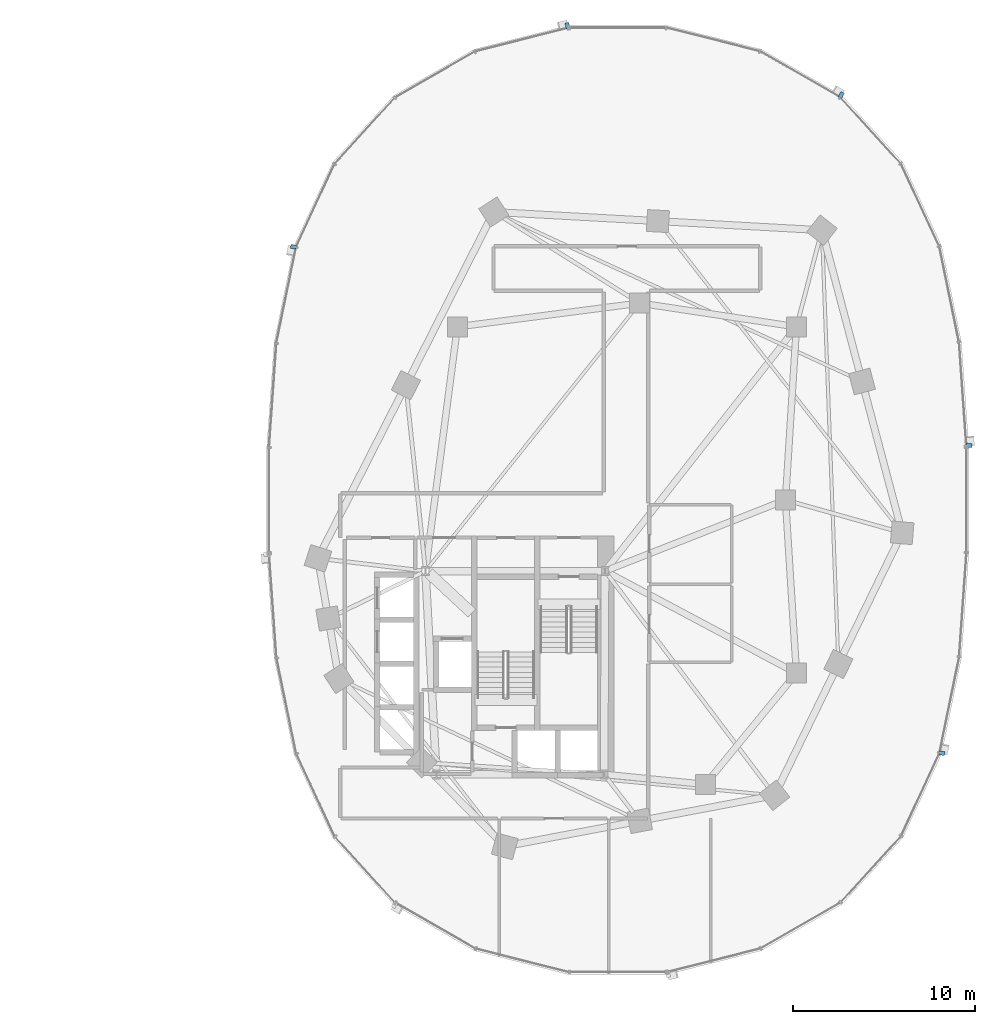
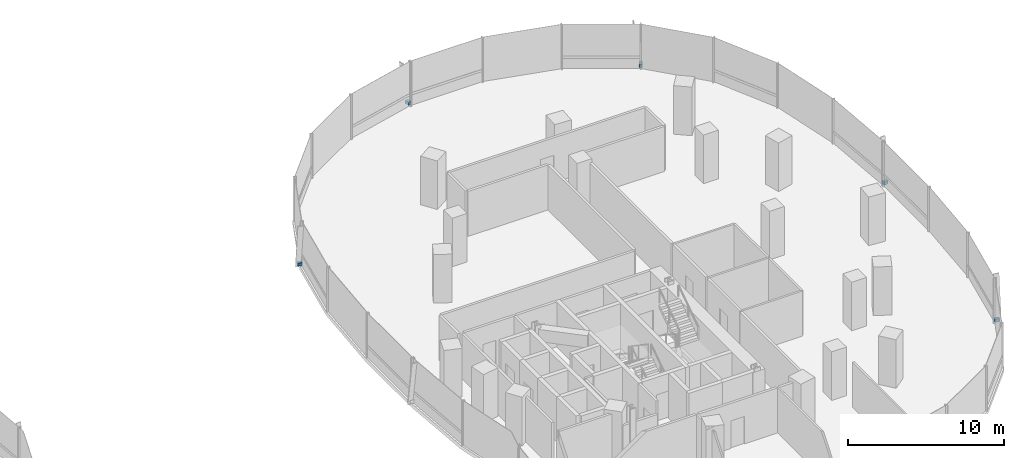
# One storey, part 16 of 21: 5 discrete accessories.
"""IFC4 building model written with IfcOpenShell, lengths in metres."""

from ifc_helpers import new_model, si_unit, direction, frame, origin, origin_2d, place, context, subcontext, project, spatial, rectangle, extrude, material, type_object, element, save


model = new_model("IFC4")

# Units and contexts
model_context = context("Model", 3, precision=1e-05, world=origin(), true_north=direction((0.0, 1.0)))
body_context = subcontext(model_context, "Body", "Model", "MODEL_VIEW")
ifc_project = project(units=[si_unit("LENGTHUNIT", "METRE"), si_unit("AREAUNIT", "SQUARE_METRE"), si_unit("VOLUMEUNIT", "CUBIC_METRE"), si_unit("PLANEANGLEUNIT", "RADIAN"), si_unit("MASSUNIT", "GRAM", prefix="KILO"), si_unit("THERMODYNAMICTEMPERATUREUNIT", "KELVIN"), si_unit("POWERUNIT", "WATT")], contexts=[model_context])

# Site, building, storey
site_placement = place(None, origin())
site = spatial("IfcSite", under=ifc_project, at=site_placement, CompositionType="ELEMENT")
building_placement = place(site_placement, origin())
building = spatial("IfcBuilding", under=site, at=building_placement, Name="Cundina Bronze Exchange", CompositionType="ELEMENT")
storey_placement = place(building_placement, frame((0.0, 0.0, 73.39990234375)))
storey = spatial("IfcBuildingStorey", under=building, at=storey_placement, Name="L18", CompositionType="ELEMENT", Elevation=73.39990234375)

# Discrete accessories
ifc_material = material(Name="Anodised Bronze Aluminium 6063-T6", Category="aluminium")
discrete_accessory_type = type_object("IfcDiscreteAccessoryType", Name="ACC-BRK-FIN", PredefinedType="BRACKET", material=ifc_material)
for number, where, z_axis, x_axis, name in (
    (1, (51.264404296875, 2.986083984375, 0.10009765625), (0.0, 0.0, 1.0), (-0.070278787473, 0.997527389113, 0.0), "L18 Fin Support Bracket 1"),
    (2, (44.259521484375, 22.21875, 0.10009765625), (0.0, 0.0, 1.0), (-0.867105478933, 0.498124571171, 0.0), "L18 Fin Support Bracket 5"),
    (3, (29.23974609375, 26.03173828125, 0.10009765625), (0.0, 0.0, 1.0), (-0.969488149345, -0.245138182011, 0.0), "L18 Fin Support Bracket 1"),
    (4, (14.211669921875, 13.8896484375, 0.10009765625), (0.0, 0.0, 1.0), (-0.201419845156, -0.979505000486, 0.0), "L18 Fin Support Bracket 5"),
    (5, (49.788330078125, -13.8896484375, 0.10009765625), (0.0, 0.0, 1.0), (0.201419845156, 0.979505000486, 0.0), "L18 Fin Support Bracket 5"),
):
    element("IfcDiscreteAccessory", number, at=place(storey_placement, frame(where, z_axis=z_axis, x_axis=x_axis)), inside=storey, type_object=discrete_accessory_type, Name=name, PredefinedType="BRACKET", context=body_context, shape_type="SweptSolid", body=[
        extrude(rectangle(XDim=0.219970703125, YDim=0.320068359375, at=origin_2d()), origin(), (0.0, 0.0, 1.0), 0.239990234375),
    ])

save(model, "model.ifc")
